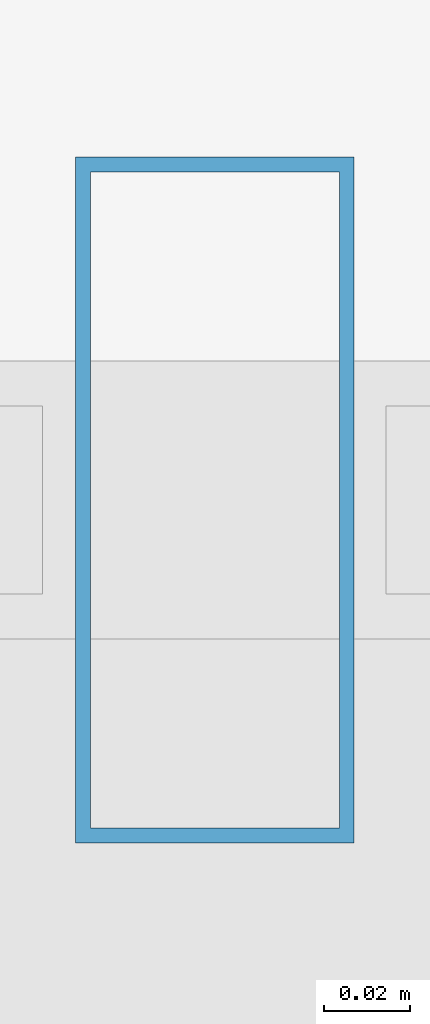
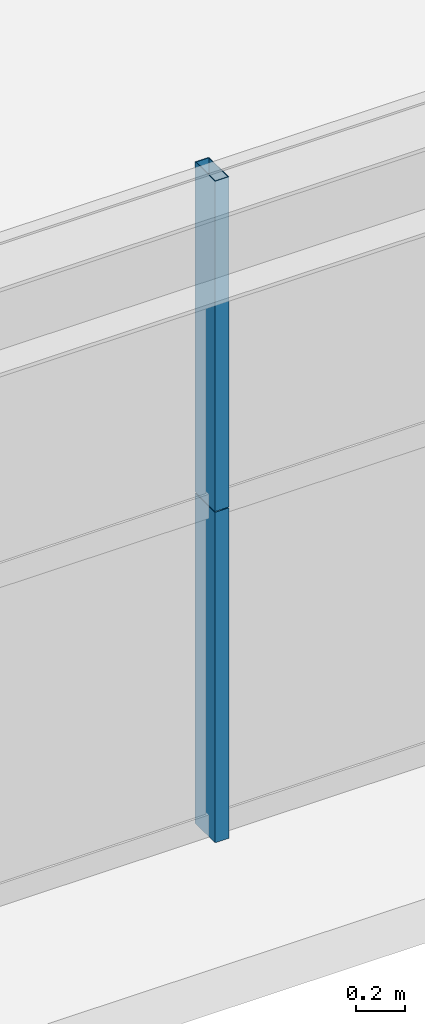
# One storey, part 6 of 38: 2 members, 1 element without a shape of its own.
"""IFC4 building model written with IfcOpenShell, lengths in metres."""

from ifc_helpers import new_model, si_unit, direction, frame, origin, origin_2d, place, context, subcontext, project, spatial, hollow_rectangle, extrude, source, transform, mapped, material, layer, layer_set, material_profile, profile_set, type_object, element, aggregate, save


model = new_model("IFC4")

# Units and contexts
model_context = context("Model", 3, precision=1e-05, world=origin(), true_north=direction((0.0, 1.0)))
body_context = subcontext(model_context, "Body", "Model", "MODEL_VIEW")
ifc_project = project(units=[si_unit("LENGTHUNIT", "METRE"), si_unit("AREAUNIT", "SQUARE_METRE"), si_unit("VOLUMEUNIT", "CUBIC_METRE"), si_unit("PLANEANGLEUNIT", "RADIAN"), si_unit("MASSUNIT", "GRAM", prefix="KILO"), si_unit("THERMODYNAMICTEMPERATUREUNIT", "KELVIN"), si_unit("POWERUNIT", "WATT")], contexts=[model_context])

# Site, building, storey
site_placement = place(None, origin())
site = spatial("IfcSite", under=ifc_project, at=site_placement, CompositionType="ELEMENT")
building_placement = place(site_placement, origin())
building = spatial("IfcBuilding", under=site, at=building_placement, Name="Yuzanri Waterfront Tower", CompositionType="ELEMENT")
storey_placement = place(building_placement, frame((0.0, 0.0, 181.0)))
storey = spatial("IfcBuildingStorey", under=building, at=storey_placement, Name="L47", CompositionType="ELEMENT", Elevation=181.0)

# Curtain wall, members
ifc_material_1 = material(Name="Anodized Architectural Bronze", Category="metal")
ifc_layer = layer(ifc_material_1, 0.159912109375)
ifc_layer_set = layer_set([ifc_layer], Name="Anodized Architectural Bronze")
curtain_wall_type = type_object("IfcCurtainWallType", Name="Anodized Bronze Mid-Rise Residential Acoustic Unitized Curtain Wall 7200", PredefinedType="NOTDEFINED", material=ifc_layer_set)
curtain_wall_placement = place(storey_placement, origin())
curtain_wall = element("IfcCurtainWall", 1, at=curtain_wall_placement, inside=storey, type_object=curtain_wall_type, Name="L47 Curtain Wall CW-L47-SL", PredefinedType="NOTDEFINED")
ifc_material_2 = material(Name="Anodized Architectural Bronze", Category="metal")
ifc_material_profile = material_profile(ifc_material_2, hollow_rectangle(XDim=0.06494140625, YDim=0.159912109375, WallThickness=0.00341796875, at=origin_2d()), Name="CWM 65x160")
ifc_profile_set = profile_set([ifc_material_profile], Name="Anodized Architectural Bronze")
member_type = type_object("IfcMemberType", Name="Anodized Bronze Upper-Zone Curtain-Wall Mullion 65x160", PredefinedType="MULLION", material=ifc_profile_set)
shared_shape = source(origin(), body_context, "Body", "SweptSolid", [
    extrude(hollow_rectangle(XDim=0.06494140625, YDim=0.159912109375, WallThickness=0.00341796875, at=origin_2d()), origin(), (0.0, 0.0, 1.0), 1.637939453125),
])
member_1_placement = place(storey_placement, frame((29.425048828125, 3.85009765625, 0.0), z_axis=(0.0, 0.0, 1.0), x_axis=(1.0, 0.0, 0.0)))
member_1 = element("IfcMember", 2, at=member_1_placement, type_object=member_type, Name="CW-L47-SL Lower Mullion 01", PredefinedType="MULLION", context=body_context, shape_type="MappedRepresentation", body=[
    mapped(shared_shape, transform((0.0, 0.0, 0.0), scale=1.0)),
])
member_2_placement = place(storey_placement, frame((29.425048828125, 3.85009765625, 1.64208984375), z_axis=(0.0, 0.0, 1.0), x_axis=(1.0, 0.0, 0.0)))
member_2 = element("IfcMember", 3, at=member_2_placement, type_object=member_type, Name="CW-L47-SL Upper Mullion 01", PredefinedType="MULLION", context=body_context, shape_type="MappedRepresentation", body=[
    mapped(shared_shape, transform((0.0, 0.0, 0.0), scale=1.0)),
])
aggregate(curtain_wall, [member_1, member_2])

save(model, "model.ifc")
